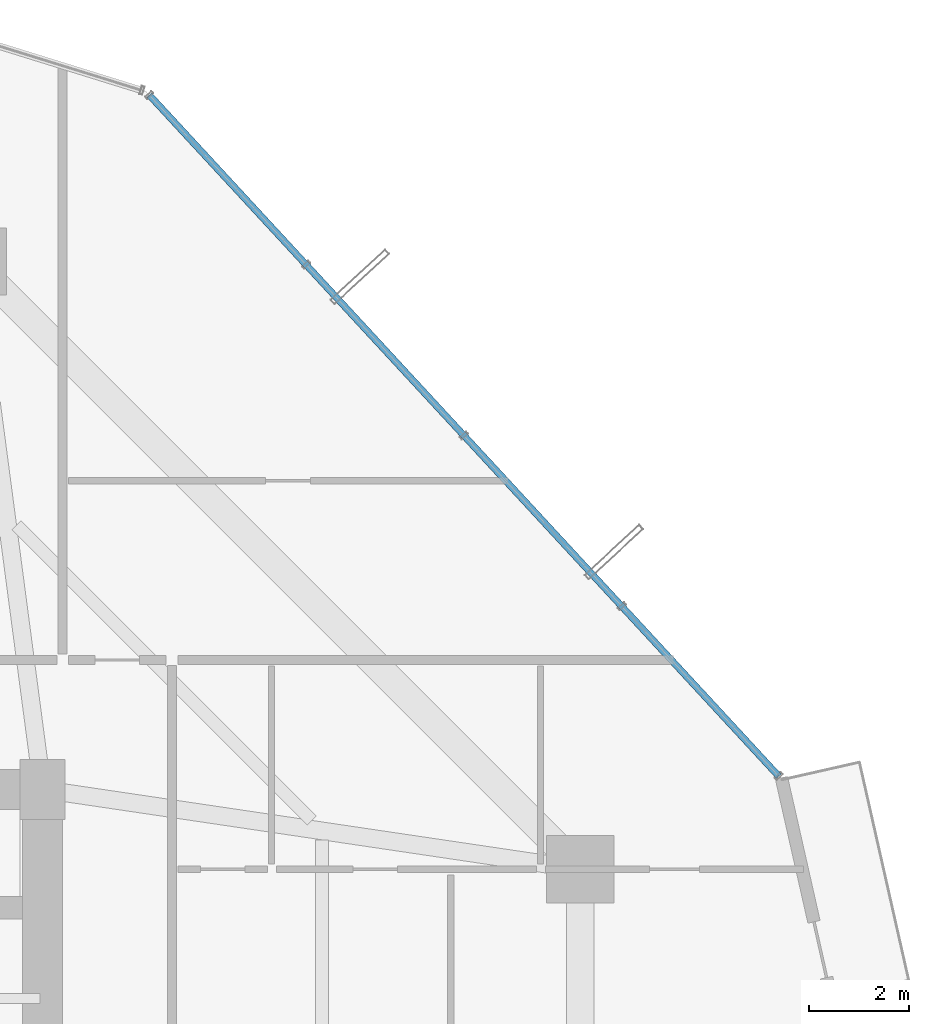
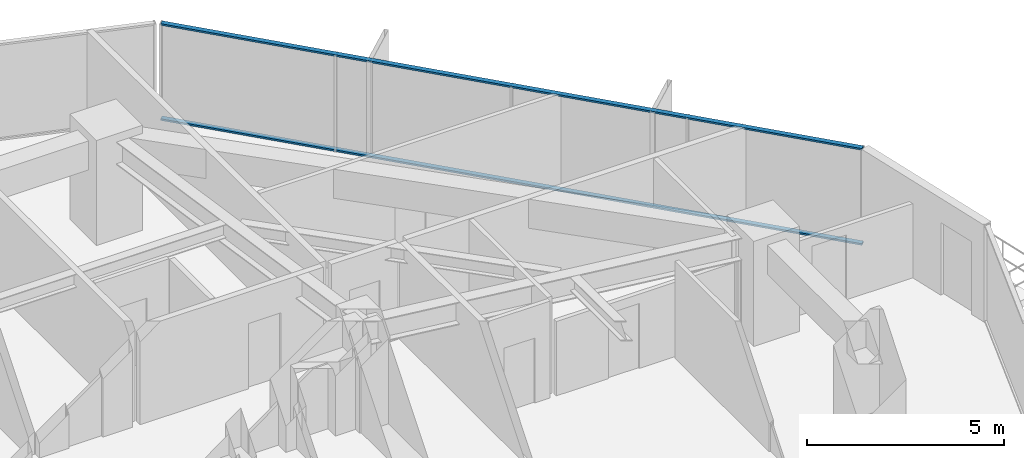
# One storey, part 31 of 39: 2 members, 1 element without a shape of its own.
"""IFC4 building model written with IfcOpenShell, lengths in metres."""

from ifc_helpers import new_model, si_unit, direction, frame, origin, origin_2d, place, context, subcontext, project, spatial, hollow_rectangle, extrude, source, transform, mapped, material, layer, layer_set, material_profile, profile_set, type_object, element, aggregate, save


model = new_model("IFC4")

# Units and contexts
model_context = context("Model", 3, precision=1e-05, world=origin(), true_north=direction((0.0, 1.0)))
body_context = subcontext(model_context, "Body", "Model", "MODEL_VIEW")
ifc_project = project(units=[si_unit("LENGTHUNIT", "METRE"), si_unit("AREAUNIT", "SQUARE_METRE"), si_unit("VOLUMEUNIT", "CUBIC_METRE"), si_unit("PLANEANGLEUNIT", "RADIAN"), si_unit("MASSUNIT", "GRAM", prefix="KILO")], contexts=[model_context])

# Site, building, storey
site_placement = place(None, origin())
site = spatial("IfcSite", under=ifc_project, at=site_placement, CompositionType="ELEMENT")
building_placement = place(site_placement, origin())
building = spatial("IfcBuilding", under=site, at=building_placement, Name="Veraguas Prism Commons", CompositionType="ELEMENT")
storey_placement = place(building_placement, frame((0.0, 0.0, 67.35009765625)))
storey = spatial("IfcBuildingStorey", under=building, at=storey_placement, Name="L18", CompositionType="ELEMENT", Elevation=67.35009765625)

# Curtain wall, members
ifc_material = material(Name="Anodised aluminium EN AW-6063 T6", Category="aluminium")
ifc_layer = layer(ifc_material, 0.169921875, Name="Unitised Flush Curtain Wall Zone 1", Category="aluminium")
ifc_layer_set = layer_set([ifc_layer], Name="Anodised aluminium EN AW-6063 T6")
curtain_wall_type = type_object("IfcCurtainWallType", Name="Unitised Flush Curtain Wall Zone 1", PredefinedType="NOTDEFINED", material=ifc_layer_set)
curtain_wall_placement = place(storey_placement, origin())
curtain_wall = element("IfcCurtainWall", 1, at=curtain_wall_placement, inside=storey, type_object=curtain_wall_type, Name="Tower Facade Curtain Wall L18-F1", PredefinedType="NOTDEFINED")
ifc_material_profile = material_profile(ifc_material, hollow_rectangle(XDim=0.054931640625, YDim=0.135009765625, WallThickness=0.0029296875, at=origin_2d()), Name="AL55X135X3")
ifc_profile_set = profile_set([ifc_material_profile], Name="Anodised aluminium EN AW-6063 T6")
member_type = type_object("IfcMemberType", Name="Curtain Wall Transom Standard AL 55x135x3", PredefinedType="USERDEFINED", material=ifc_profile_set)
shared_shape = source(origin(), body_context, "Body", "SweptSolid", [
    extrude(hollow_rectangle(XDim=0.054931640625, YDim=0.135009765625, WallThickness=0.0029296875, at=origin_2d()), origin(), (0.0, 0.0, 1.0), 18.6240234375),
])
member_1_placement = place(storey_placement, frame((45.5849609375, 31.266845703125, 0.02734375), z_axis=(-0.678674193656, 0.734439472568, 0.0), x_axis=(0.0, 0.0, 1.0)))
member_1 = element("IfcMember", 2, at=member_1_placement, type_object=member_type, Name="CW-Z1 Transom 1", ObjectType="TRANSOM", PredefinedType="USERDEFINED", context=body_context, shape_type="MappedRepresentation", body=[
    mapped(shared_shape, transform((0.0, 0.0, 0.0), scale=1.0)),
])
member_2_placement = place(storey_placement, frame((45.5849609375, 31.266845703125, 2.972412109375), z_axis=(-0.678674193656, 0.734439472568, 0.0), x_axis=(0.0, 0.0, 1.0)))
member_2 = element("IfcMember", 3, at=member_2_placement, type_object=member_type, Name="CW-Z1 Transom 2", ObjectType="TRANSOM", PredefinedType="USERDEFINED", context=body_context, shape_type="MappedRepresentation", body=[
    mapped(shared_shape, transform((0.0, 0.0, 0.0), scale=1.0)),
])
aggregate(curtain_wall, [member_1, member_2])

save(model, "model.ifc")
